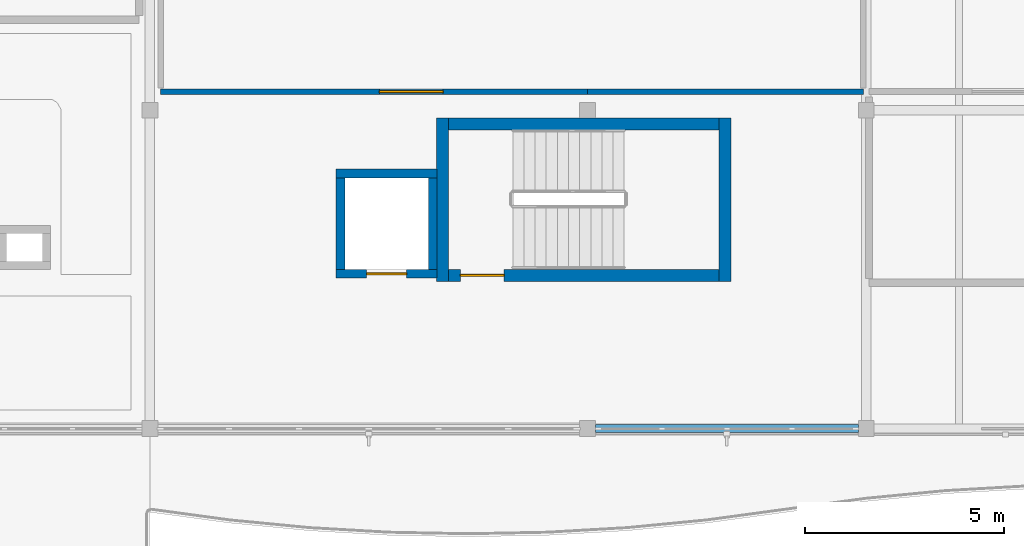
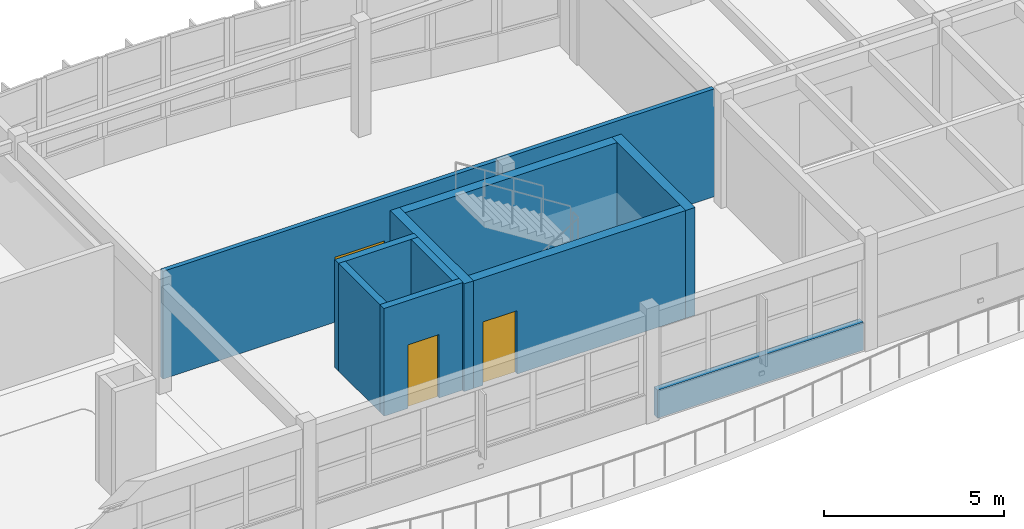
# One storey, part 31 of 52: 11 walls, 3 doors, 3 openings.
"""IFC4 building model written with IfcOpenShell, lengths in metres."""

import ifcopenshell
import ifcopenshell.guid

model = None  # the IFC model being written
_history = None  # IfcOwnerHistory: only IFC2X3 demands one
_inside = {}  # id of a spatial element -> (the spatial element, [elements in it])
_under = {}  # id of a project, library or spatial element -> (it, [spatial elements below it])
_declared = {}  # id of a project -> (the project, [libraries it declares])
_typed = {}  # id of a type object -> (the type object, [elements of that type])
_made_of = {}  # id of a material, layer set ... -> (it, [elements and type objects made of it])


def new_model(schema):
    """Start an empty IFC model of exactly this schema.

    Asked for "IFC4X3", IfcOpenShell would pick the latest addendum, in which some entities
    have other attributes; the version numbers below select the first issue.
    IFC2X3 requires an IfcOwnerHistory on every rooted entity: one is made here for all.
    """
    global model, _history
    if schema == "IFC4X3":
        model = ifcopenshell.file(schema_version=(4, 3, 0, 0))
    else:
        model = ifcopenshell.file(schema=schema)
    _inside.clear()
    _under.clear()
    _declared.clear()
    _typed.clear()
    _made_of.clear()
    _history = None
    if model.schema == "IFC2X3":
        org = make("IfcOrganization", Name="unknown")
        user = make(
            "IfcPersonAndOrganization",
            ThePerson=make("IfcPerson", FamilyName="unknown"),
            TheOrganization=org,
        )
        app = make(
            "IfcApplication",
            ApplicationDeveloper=org,
            Version="unknown",
            ApplicationFullName="unknown",
            ApplicationIdentifier="unknown",
        )
        _history = make(
            "IfcOwnerHistory",
            OwningUser=user,
            OwningApplication=app,
            ChangeAction="ADDED",
            CreationDate=0,
        )
    return model


def make(cls, **values):
    """One entity of the class cls with the attributes given. An attribute that is None is left unset."""
    return model.create_entity(
        cls, **{name: value for name, value in values.items() if value is not None}
    )


def rooted(cls, **values):
    """An entity with a GlobalId (a new one), such as an element, a storey or a relation."""
    return make(cls, GlobalId=ifcopenshell.guid.new(), OwnerHistory=_history, **values)


def si_unit(unit_type, name, prefix=None):
    """IfcSIUnit, for example si_unit("LENGTHUNIT", "METRE", prefix="MILLI")."""
    return make("IfcSIUnit", UnitType=unit_type, Prefix=prefix, Name=name)


def assignment(units):
    """IfcUnitAssignment: the units of a project."""
    return None if units is None else make("IfcUnitAssignment", Units=units)


def point(xyz):
    """IfcCartesianPoint."""
    return None if xyz is None else make("IfcCartesianPoint", Coordinates=xyz)


def direction(xyz):
    """IfcDirection."""
    return None if xyz is None else make("IfcDirection", DirectionRatios=xyz)


def frame(location, z_axis=None, x_axis=None):
    """IfcAxis2Placement3D, a coordinate frame: its origin and axes. An axis left out is left unset."""
    return make(
        "IfcAxis2Placement3D",
        Location=point(location),
        Axis=direction(z_axis),
        RefDirection=direction(x_axis),
    )


def frame_2d(location, x_axis=None):
    """IfcAxis2Placement2D, a coordinate frame in the plane: its origin and x axis."""
    return make(
        "IfcAxis2Placement2D", Location=point(location), RefDirection=direction(x_axis)
    )


def origin():
    """The frame at (0, 0, 0) with its axes left unset."""
    return frame((0.0, 0.0, 0.0))


def place(relative_to, where):
    """IfcLocalPlacement: puts the frame where relative to a parent placement (None: the world)."""
    return make(
        "IfcLocalPlacement", PlacementRelTo=relative_to, RelativePlacement=where
    )


def context(
    kind, dimensions, precision=None, world=None, true_north=None, identifier=None
):
    """IfcGeometricRepresentationContext, for example the 3D "Model" context."""
    return make(
        "IfcGeometricRepresentationContext",
        ContextIdentifier=identifier,
        ContextType=kind,
        CoordinateSpaceDimension=dimensions,
        Precision=precision,
        WorldCoordinateSystem=world,
        TrueNorth=true_north,
    )


def subcontext(parent, identifier, kind, view, scale=None):
    """IfcGeometricRepresentationSubContext, for example "Body" below "Model"."""
    return make(
        "IfcGeometricRepresentationSubContext",
        ContextIdentifier=identifier,
        ContextType=kind,
        ParentContext=parent,
        TargetScale=scale,
        TargetView=view,
    )


def project(units=None, contexts=None):
    """IfcProject with its units and contexts."""
    return rooted(
        "IfcProject",
        Name="project",
        RepresentationContexts=contexts,
        UnitsInContext=assignment(units),
    )


def spatial(cls, under=None, at=None, **own):
    """A site, building, storey or space (cls), placed at a placement, below another one or the project."""
    s = rooted(cls, ObjectPlacement=at, **own)
    if under is not None:
        _under.setdefault(under.id(), (under, []))[1].append(s)
    return s


def profile(cls, at=None, kind="AREA", **sizes):
    """A parametric profile (cls). Its sizes go by their IFC names, for example OverallWidth=200.0."""
    return make(cls, ProfileType=kind, Position=at, **sizes)


def rectangle(**sizes):
    """IfcRectangleProfileDef."""
    return profile("IfcRectangleProfileDef", **sizes)


def extrude(swept, where, along, depth):
    """IfcExtrudedAreaSolid: the profile swept, set in the frame where, extruded along a direction by depth."""
    return make(
        "IfcExtrudedAreaSolid",
        SweptArea=swept,
        Position=where,
        ExtrudedDirection=direction(along),
        Depth=depth,
    )


def shape(context_of_items, identifier, shape_type, items):
    """IfcShapeRepresentation: the items that make up one representation, for example the "Body"."""
    return make(
        "IfcShapeRepresentation",
        ContextOfItems=context_of_items,
        RepresentationIdentifier=identifier,
        RepresentationType=shape_type,
        Items=items,
    )


def material(Name=None, Category=None):
    """IfcMaterial."""
    return make("IfcMaterial", Name=Name, Category=Category)


def layer(
    of_material, thickness, ventilated=None, Name=None, Category=None, Priority=None
):
    """IfcMaterialLayer: one layer of a wall or slab, of a material (None: an air gap)."""
    return make(
        "IfcMaterialLayer",
        Material=of_material,
        LayerThickness=thickness,
        IsVentilated=ventilated,
        Name=Name,
        Category=Category,
        Priority=Priority,
    )


def layer_set(layers, Name=None):
    """IfcMaterialLayerSet."""
    return make("IfcMaterialLayerSet", MaterialLayers=layers, LayerSetName=Name)


def made_of(thing, what):
    """Note that an element or type object is made of a material, layer set ...; save() writes the relation."""
    if what is not None:
        _made_of.setdefault(what.id(), (what, []))[1].append(thing)
    return thing


def type_object(cls, material=None, **own):
    """A type object (cls), such as IfcWallType, which elements share."""
    return made_of(rooted(cls, **own), material)


def element(
    cls,
    number,
    at=None,
    inside=None,
    cuts=None,
    type_object=None,
    material=None,
    context=None,
    identifier="Body",
    shape_type=None,
    held_by="IfcProductDefinitionShape",
    body=None,
    shapes=None,
    **own,
):
    """One element of the class cls, such as IfcWall. Its Tag is "e" and its number.

    at: its placement. inside: the storey or other place that contains it. cuts: it is an
    opening in that element (IfcRelVoidsElement). A single representation is given by context,
    identifier, shape_type and body (its items); several are given by shapes. held_by: the class
    of the entity that holds the representations. save() writes the other relations.
    """
    e = rooted(cls, Tag="e%d" % number, ObjectPlacement=at, **own)
    if body is not None:
        shapes = [shape(context, identifier, shape_type, body)]
    if shapes is not None:
        e.Representation = make(held_by, Representations=shapes)
    if inside is not None:
        _inside.setdefault(inside.id(), (inside, []))[1].append(e)
    if cuts is not None:
        rooted(
            "IfcRelVoidsElement", RelatingBuildingElement=cuts, RelatedOpeningElement=e
        )
    if type_object is not None:
        _typed.setdefault(type_object.id(), (type_object, []))[1].append(e)
    return made_of(e, material)


def fill(opening, filler):
    """IfcRelFillsElement: the door or window that sits in an opening."""
    return rooted(
        "IfcRelFillsElement",
        RelatingOpeningElement=opening,
        RelatedBuildingElement=filler,
    )


def aggregate(whole, parts):
    """IfcRelAggregates: a whole, such as a stair, and the parts it consists of."""
    return rooted("IfcRelAggregates", RelatingObject=whole, RelatedObjects=parts)


def save(model, path):
    """Write the relations noted so far, then the file.

    IfcRelAggregates (storeys below a building ...), IfcRelContainedInSpatialStructure (elements
    in a storey), IfcRelDefinesByType, IfcRelAssociatesMaterial and IfcRelDeclares: one each for
    every whole, place, type object, material and project.
    """
    for whole, parts in _under.values():
        aggregate(whole, parts)
    for where, things in _inside.values():
        rooted(
            "IfcRelContainedInSpatialStructure",
            RelatedElements=things,
            RelatingStructure=where,
        )
    for kind, things in _typed.values():
        rooted("IfcRelDefinesByType", RelatedObjects=things, RelatingType=kind)
    for what, things in _made_of.values():
        rooted("IfcRelAssociatesMaterial", RelatedObjects=things, RelatingMaterial=what)
    for by, libraries in _declared.values():
        rooted("IfcRelDeclares", RelatingContext=by, RelatedDefinitions=libraries)
    model.write(path)


model = new_model("IFC4")

# Units and contexts
model_context = context("Model", 3, precision=1e-05, world=origin(), true_north=direction((0.0, 1.0)))
body_context = subcontext(model_context, "Body", "Model", "MODEL_VIEW")
ifc_project = project(units=[si_unit("LENGTHUNIT", "METRE"), si_unit("AREAUNIT", "SQUARE_METRE"), si_unit("VOLUMEUNIT", "CUBIC_METRE"), si_unit("PLANEANGLEUNIT", "RADIAN"), si_unit("MASSUNIT", "GRAM", prefix="KILO")], contexts=[model_context])

# Site, building, storey
site_placement = place(None, origin())
site = spatial("IfcSite", under=ifc_project, at=site_placement, CompositionType="ELEMENT")
building_placement = place(site_placement, origin())
building = spatial("IfcBuilding", under=site, at=building_placement, Name="Tonlespit Floodbar School", CompositionType="ELEMENT")
storey_placement = place(building_placement, frame((0.0, 0.0, 12.300048828125)))
storey = spatial("IfcBuildingStorey", under=building, at=storey_placement, Name="L03", CompositionType="ELEMENT", Elevation=12.300048828125)

# Walls
ifc_material_1 = material(Name="Concrete C40/50", Category="concrete")
ifc_layer_1 = layer(ifc_material_1, 0.300048828125)
ifc_layer_set_1 = layer_set([ifc_layer_1], Name="Concrete C40/50")
wall_type_1 = type_object("IfcWallType", Name="CoreWall_RC_300", PredefinedType="SHEAR", material=ifc_layer_set_1)
for number, where, z_axis, x_axis, name in (
    (1, (123.35009765625, 107.699951171875, 0.0), (0.0, 0.0, 1.0), (0.0, 1.0, 0.0), "L03 core C4 shear wall NEAR"),
    (2, (130.449951171875, 111.800048828125, 0.0), (0.0, 0.0, 1.0), (0.0, -1.0, 0.0), "L03 core C4 shear wall FAR"),
):
    element("IfcWall", number, at=place(storey_placement, frame(where, z_axis=z_axis, x_axis=x_axis)), inside=storey, type_object=wall_type_1, Name=name, PredefinedType="SHEAR", context=body_context, shape_type="SweptSolid", body=[
        extrude(rectangle(XDim=4.10009765625, YDim=0.300048828125, at=frame_2d((2.050048828125, 0.0))), origin(), (0.0, 0.0, 1.0), 3.64990234375),
    ])

# Wall, opening, door
wall_1_placement = place(storey_placement, frame((123.5, 107.85009765625, 0.0), z_axis=(0.0, 0.0, 1.0), x_axis=(1.0, 0.0, 0.0)))
wall_1 = element("IfcWall", 3, at=wall_1_placement, inside=storey, type_object=wall_type_1, Name="L03 core C4 shear wall LEFT", PredefinedType="SHEAR", context=body_context, shape_type="SweptSolid", body=[
    extrude(rectangle(XDim=6.800048828125, YDim=0.300048828125, at=frame_2d((3.39990234375, 0.0))), origin(), (0.0, 0.0, 1.0), 3.64990234375),
])
opening_1_placement = place(wall_1_placement, frame((0.300048828125, 0.0, 0.0)))
opening_1 = element("IfcOpeningElement", 4, at=opening_1_placement, cuts=wall_1, Name="Opening FD1-C4-L03", PredefinedType="OPENING", context=body_context, shape_type="SweptSolid", body=[
    extrude(rectangle(XDim=1.10009765625, YDim=2.14990234375, at=frame_2d((0.550048828125, 1.074951171875))), frame((0.0, 0.159912109375, 0.0), z_axis=(0.0, -1.0, 0.0), x_axis=(1.0, 0.0, 0.0)), (0.0, 0.0, 1.0), 0.320068359375),
])
ifc_material_2 = material(Name="Galvanised Steel", Category="steel")
door_type_1 = type_object("IfcDoorType", Name="FireDoor_Stair_1100x2150", OperationType="NOTDEFINED", PredefinedType="DOOR", material=ifc_material_2)
door_1_placement = place(opening_1_placement, origin())
door_1 = element("IfcDoor", 5, at=door_1_placement, inside=storey, type_object=door_type_1, Name="L03 stair ST-C4 fire door", OperationType="SINGLE_SWING_RIGHT", OverallHeight=2.14990234375, OverallWidth=1.10009765625, PredefinedType="DOOR", context=body_context, shape_type="SweptSolid", body=[
    extrude(rectangle(XDim=1.10009765625, YDim=2.14990234375, at=frame_2d((0.550048828125, 1.074951171875))), frame((0.0, 0.02490234375, 0.0), z_axis=(0.0, -1.0, 0.0), x_axis=(1.0, 0.0, 0.0)), (0.0, 0.0, 1.0), 0.050048828125),
])
fill(opening_1, door_1)

# Walls
wall_2_placement = place(storey_placement, frame((130.300048828125, 111.64990234375, 0.0), z_axis=(0.0, 0.0, 1.0), x_axis=(-1.0, 0.0, 0.0)))
element("IfcWall", 6, at=wall_2_placement, inside=storey, type_object=wall_type_1, Name="L03 core C4 shear wall RGHT", PredefinedType="SHEAR", context=body_context, shape_type="SweptSolid", body=[
    extrude(rectangle(XDim=6.800048828125, YDim=0.300048828125, at=frame_2d((3.39990234375, 0.0))), origin(), (0.0, 0.0, 1.0), 3.64990234375),
])
ifc_material_3 = material(Name="White Architectural Precast concrete C40/50", Category="concrete")
ifc_layer_2 = layer(ifc_material_3, 0.199951171875)
ifc_layer_set_2 = layer_set([ifc_layer_2], Name="White Architectural Precast concrete C40/50")
wall_type_2 = type_object("IfcWallType", Name="ExtWall_Spandrel_White_200", PredefinedType="SOLIDWALL", material=ifc_layer_set_2)
wall_3_placement = place(storey_placement, frame((133.800048828125, 104.0, 0.0), z_axis=(0.0, 0.0, 1.0), x_axis=(-1.0, 0.0, 0.0)))
element("IfcWall", 7, at=wall_3_placement, inside=storey, type_object=wall_type_2, Name="L03 spandrel wall 0660", PredefinedType="SOLIDWALL", context=body_context, shape_type="SweptSolid", body=[
    extrude(rectangle(XDim=6.60009765625, YDim=0.199951171875, at=frame_2d((3.300048828125, 0.0))), origin(), (0.0, 0.0, 1.0), 0.949951171875),
])

# Wall, opening, door
ifc_material_4 = material(Name="Gypsum Plasterboard Partition")
ifc_layer_3 = layer(ifc_material_4, 0.139892578125)
ifc_layer_set_3 = layer_set([ifc_layer_3], Name="Gypsum Plasterboard Partition")
wall_type_3 = type_object("IfcWallType", Name="Partition_Gyp_140", PredefinedType="PARTITIONING", material=ifc_layer_set_3)
wall_4_placement = place(storey_placement, frame((116.27001953125, 112.469970703125, 0.0), z_axis=(0.0, 0.0, 1.0), x_axis=(1.0, 0.0, 0.0)))
wall_4 = element("IfcWall", 8, at=wall_4_placement, inside=storey, type_object=wall_type_3, Name="L03 partition wall 0408", PredefinedType="PARTITIONING", context=body_context, shape_type="SweptSolid", body=[
    extrude(rectangle(XDim=10.72998046875, YDim=0.139892578125, at=frame_2d((5.364990234375, 0.0))), origin(), (0.0, 0.0, 1.0), 3.64990234375),
])
opening_2_placement = place(wall_4_placement, frame((5.5, 0.0, 0.0)))
opening_2 = element("IfcOpeningElement", 9, at=opening_2_placement, cuts=wall_4, Name="Opening D-L03-111", PredefinedType="OPENING", context=body_context, shape_type="SweptSolid", body=[
    extrude(rectangle(XDim=1.60009765625, YDim=2.199951171875, at=frame_2d((0.800048828125, 1.10009765625))), frame((0.0, 0.079833984375, 0.0), z_axis=(0.0, -1.0, 0.0), x_axis=(1.0, 0.0, 0.0)), (0.0, 0.0, 1.0), 0.159912109375),
])
ifc_material_5 = material(Name="Hardwood Timber", Category="wood")
door_type_2 = type_object("IfcDoorType", Name="IntDoor_1600x2200", OperationType="NOTDEFINED", PredefinedType="DOOR", material=ifc_material_5)
door_2_placement = place(opening_2_placement, origin())
door_2 = element("IfcDoor", 10, at=door_2_placement, inside=storey, type_object=door_type_2, Name="L03 interior door D-L03-111", OperationType="SINGLE_SWING_RIGHT", OverallHeight=2.199951171875, OverallWidth=1.60009765625, PredefinedType="DOOR", context=body_context, shape_type="SweptSolid", body=[
    extrude(rectangle(XDim=1.60009765625, YDim=2.199951171875, at=frame_2d((0.800048828125, 1.10009765625))), frame((0.0, 0.02490234375, 0.0), z_axis=(0.0, -1.0, 0.0), x_axis=(1.0, 0.0, 0.0)), (0.0, 0.0, 1.0), 0.050048828125),
])
fill(opening_2, door_2)

# Wall
wall_5_placement = place(storey_placement, frame((127.0, 112.469970703125, 0.0), z_axis=(0.0, 0.0, 1.0), x_axis=(1.0, 0.0, 0.0)))
element("IfcWall", 11, at=wall_5_placement, inside=storey, type_object=wall_type_3, Name="L03 partition wall 0409", PredefinedType="PARTITIONING", context=body_context, shape_type="SweptSolid", body=[
    extrude(rectangle(XDim=6.929931640625, YDim=0.139892578125, at=frame_2d((3.46484375, 0.0))), origin(), (0.0, 0.0, 1.0), 3.64990234375),
])

# Wall, opening, door
ifc_layer_4 = layer(ifc_material_1, 0.219970703125)
ifc_layer_set_4 = layer_set([ifc_layer_4], Name="Concrete C40/50")
wall_type_4 = type_object("IfcWallType", Name="ShaftWall_RC_220", PredefinedType="SHEAR", material=ifc_layer_set_4)
wall_6_placement = place(storey_placement, frame((123.219970703125, 107.889892578125, 0.0), z_axis=(0.0, 0.0, 1.0), x_axis=(-1.0, 0.0, 0.0)))
wall_6 = element("IfcWall", 12, at=wall_6_placement, inside=storey, type_object=wall_type_4, Name="L03 lift LP-3 shaft wall S", PredefinedType="SHEAR", context=body_context, shape_type="SweptSolid", body=[
    extrude(rectangle(XDim=2.5400390625, YDim=0.219970703125, at=frame_2d((1.27001953125, 0.0))), origin(), (0.0, 0.0, 1.0), 3.64990234375),
])
opening_3_placement = place(wall_6_placement, frame((0.77001953125, 0.0, 0.0)))
opening_3 = element("IfcOpeningElement", 13, at=opening_3_placement, cuts=wall_6, Name="Opening LD-LP-3-L03", PredefinedType="OPENING", context=body_context, shape_type="SweptSolid", body=[
    extrude(rectangle(XDim=1.0, YDim=2.14990234375, at=frame_2d((0.5, 1.074951171875))), frame((0.0, 0.119873046875, 0.0), z_axis=(0.0, -1.0, 0.0), x_axis=(1.0, 0.0, 0.0)), (0.0, 0.0, 1.0), 0.239990234375),
])
ifc_material_6 = material(Name="Anodised Aluminium", Category="aluminium")
door_type_3 = type_object("IfcDoorType", Name="LiftDoor_Pass_1000x2150", OperationType="DOUBLE_DOOR_SLIDING", PredefinedType="DOOR", material=ifc_material_6)
door_3_placement = place(opening_3_placement, origin())
door_3 = element("IfcDoor", 14, at=door_3_placement, inside=storey, type_object=door_type_3, Name="L03 lift LP-3 sliding landing door", OperationType="DOUBLE_DOOR_SLIDING", OverallHeight=2.14990234375, OverallWidth=1.0, PredefinedType="DOOR", context=body_context, shape_type="SweptSolid", body=[
    extrude(rectangle(XDim=1.0, YDim=2.14990234375, at=frame_2d((0.5, 1.074951171875))), frame((0.0, 0.02490234375, 0.0), z_axis=(0.0, -1.0, 0.0), x_axis=(1.0, 0.0, 0.0)), (0.0, 0.0, 1.0), 0.050048828125),
])
fill(opening_3, door_3)

# Walls
wall_7_placement = place(storey_placement, frame((120.679931640625, 110.409912109375, 0.0), z_axis=(0.0, 0.0, 1.0), x_axis=(1.0, 0.0, 0.0)))
element("IfcWall", 15, at=wall_7_placement, inside=storey, type_object=wall_type_4, Name="L03 lift LP-3 shaft wall N", PredefinedType="SHEAR", context=body_context, shape_type="SweptSolid", body=[
    extrude(rectangle(XDim=2.5400390625, YDim=0.219970703125, at=frame_2d((1.27001953125, 0.0))), origin(), (0.0, 0.0, 1.0), 3.64990234375),
])
for number, where, z_axis, x_axis, name in (
    (16, (120.7900390625, 108.0, 0.0), (0.0, 0.0, 1.0), (0.0, 1.0, 0.0), "L03 lift LP-3 shaft wall W"),
    (17, (123.110107421875, 110.300048828125, 0.0), (0.0, 0.0, 1.0), (0.0, -1.0, 0.0), "L03 lift LP-3 shaft wall E"),
):
    element("IfcWall", number, at=place(storey_placement, frame(where, z_axis=z_axis, x_axis=x_axis)), inside=storey, type_object=wall_type_4, Name=name, PredefinedType="SHEAR", context=body_context, shape_type="SweptSolid", body=[
        extrude(rectangle(XDim=2.300048828125, YDim=0.219970703125, at=frame_2d((1.14990234375, 0.0))), origin(), (0.0, 0.0, 1.0), 3.64990234375),
    ])

save(model, "model.ifc")
